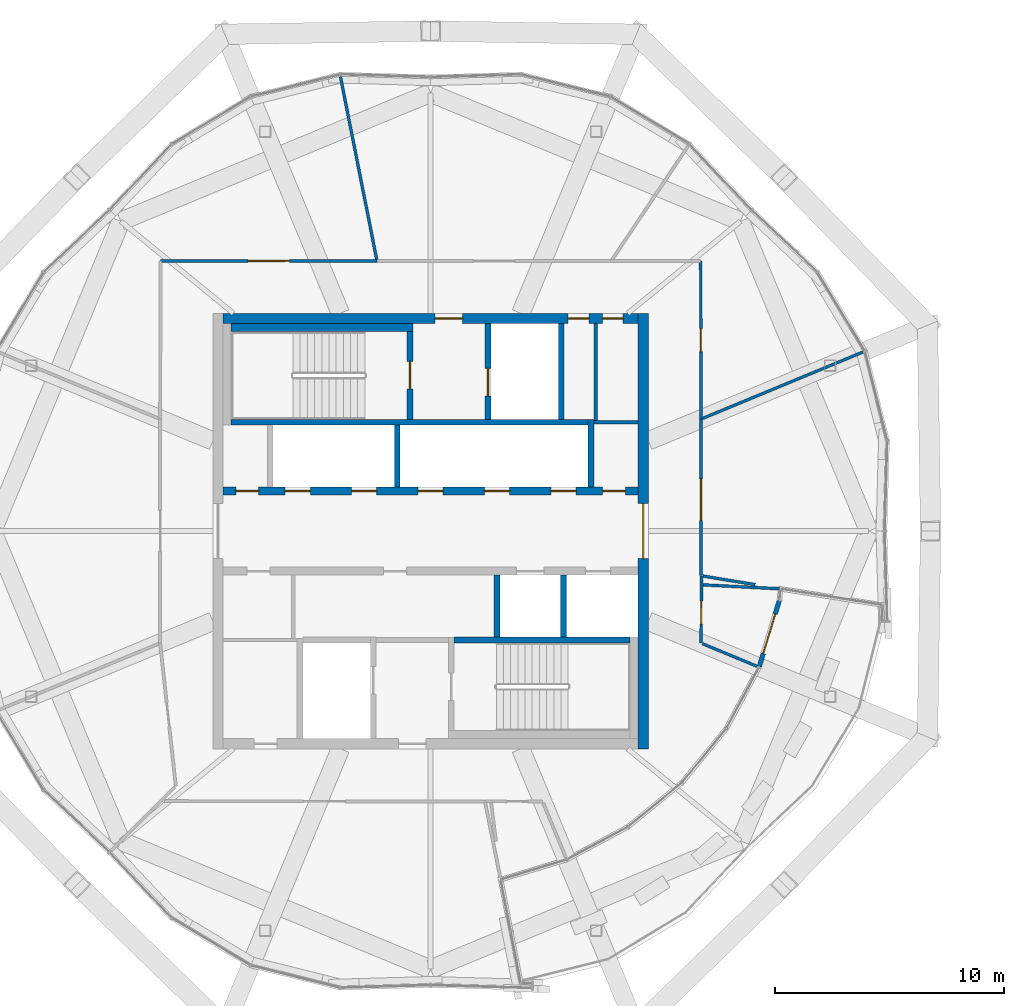
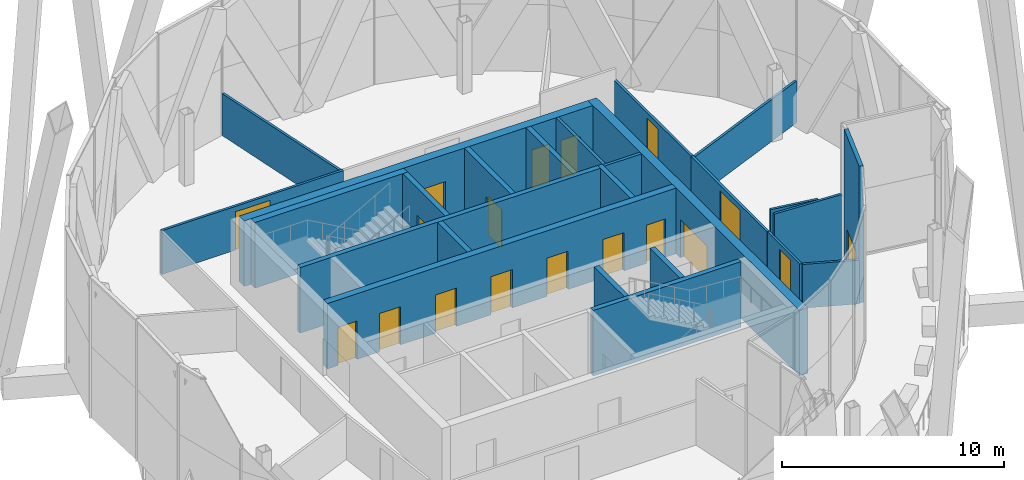
# One storey, part 46 of 53: 25 walls, 18 doors, 18 openings.
"""IFC4 building model written with IfcOpenShell, lengths in metres."""

from ifc_helpers import new_model, si_unit, direction, frame, frame_2d, origin, place, context, subcontext, project, spatial, rectangle, extrude, material, layer, layer_set, type_object, element, fill, save


model = new_model("IFC4")

# Units and contexts
model_context = context("Model", 3, precision=1e-05, world=origin(), true_north=direction((0.0, 1.0)))
body_context = subcontext(model_context, "Body", "Model", "MODEL_VIEW")
ifc_project = project(units=[si_unit("LENGTHUNIT", "METRE"), si_unit("AREAUNIT", "SQUARE_METRE"), si_unit("VOLUMEUNIT", "CUBIC_METRE"), si_unit("PLANEANGLEUNIT", "RADIAN"), si_unit("MASSUNIT", "GRAM", prefix="KILO")], contexts=[model_context])

# Site, building, storey
site_placement = place(None, origin())
site = spatial("IfcSite", under=ifc_project, at=site_placement, CompositionType="ELEMENT")
building_placement = place(site_placement, origin())
building = spatial("IfcBuilding", under=site, at=building_placement, Name="Ogive Gate Towers", CompositionType="ELEMENT")
storey_placement = place(building_placement, frame((0.0, 0.0, 240.60009765625)))
storey = spatial("IfcBuildingStorey", under=building, at=storey_placement, Name="L57", CompositionType="ELEMENT", Elevation=240.60009765625)

# Wall, openings, doors
ifc_material_1 = material(Name="Concrete C60/75", Category="concrete")
ifc_layer_1 = layer(ifc_material_1, 0.449951171875)
ifc_layer_set_1 = layer_set([ifc_layer_1], Name="Core wall 450 mm")
wall_type_1 = type_object("IfcWallType", Name="Core wall 450 mm", PredefinedType="SHEAR", material=ifc_layer_set_1)
wall_1_placement = place(storey_placement, frame((-45.050048828125, 9.27490234375, 0.0), z_axis=(0.0, 0.0, 1.0), x_axis=(1.0, 0.0, 0.0)))
wall_1 = element("IfcWall", 1, at=wall_1_placement, inside=storey, type_object=wall_type_1, Name="T1 L57 Core wall 450 mm", PredefinedType="SHEAR", context=body_context, shape_type="SweptSolid", body=[
    extrude(rectangle(XDim=18.10009765625, YDim=0.449951171875, at=frame_2d((9.050048828125, 0.0))), origin(), (0.0, 0.0, 1.0), 3.599853515625),
])
opening_1_placement = place(wall_1_placement, frame((9.25, 0.0, 0.0)))
opening_1 = element("IfcOpeningElement", 2, at=opening_1_placement, cuts=wall_1, Name="Opening KD-T1-L57-18", PredefinedType="OPENING", context=body_context, shape_type="SweptSolid", body=[
    extrude(rectangle(XDim=1.199951171875, YDim=2.10009765625, at=frame_2d((0.60009765625, 1.050048828125))), frame((0.0, 0.23486328125, 0.0), z_axis=(0.0, -1.0, 0.0), x_axis=(1.0, 0.0, 0.0)), (0.0, 0.0, 1.0), 0.469970703125),
])
opening_2_placement = place(wall_1_placement, frame((15.050048828125, 0.0, 0.0)))
opening_2 = element("IfcOpeningElement", 3, at=opening_2_placement, cuts=wall_1, Name="Opening KD-T1-L57-20", PredefinedType="OPENING", context=body_context, shape_type="SweptSolid", body=[
    extrude(rectangle(XDim=0.89990234375, YDim=2.10009765625, at=frame_2d((0.449951171875, 1.050048828125))), frame((0.0, 0.23486328125, 0.0), z_axis=(0.0, -1.0, 0.0), x_axis=(1.0, 0.0, 0.0)), (0.0, 0.0, 1.0), 0.469970703125),
])
opening_3_placement = place(wall_1_placement, frame((16.550048828125, 0.0, 0.0)))
opening_3 = element("IfcOpeningElement", 4, at=opening_3_placement, cuts=wall_1, Name="Opening KD-T1-L57-21", PredefinedType="OPENING", context=body_context, shape_type="SweptSolid", body=[
    extrude(rectangle(XDim=0.89990234375, YDim=2.10009765625, at=frame_2d((0.449951171875, 1.050048828125))), frame((0.0, 0.23486328125, 0.0), z_axis=(0.0, -1.0, 0.0), x_axis=(1.0, 0.0, 0.0)), (0.0, 0.0, 1.0), 0.469970703125),
])
ifc_material_2 = material(Name="Timber door", Category="wood")
door_type_1 = type_object("IfcDoorType", Name="Core WC door 900 x 2100", OperationType="NOTDEFINED", PredefinedType="DOOR", material=ifc_material_2)
door_1_placement = place(opening_2_placement, origin())
door_1 = element("IfcDoor", 5, at=door_1_placement, inside=storey, type_object=door_type_1, Name="T1 L57 Core door", OperationType="SINGLE_SWING_LEFT", OverallHeight=2.10009765625, OverallWidth=0.89990234375, PredefinedType="DOOR", context=body_context, shape_type="SweptSolid", body=[
    extrude(rectangle(XDim=0.89990234375, YDim=2.10009765625, at=frame_2d((0.449951171875, 1.050048828125))), frame((0.0, 0.02490234375, 0.0), z_axis=(0.0, -1.0, 0.0), x_axis=(1.0, 0.0, 0.0)), (0.0, 0.0, 1.0), 0.050048828125),
])
fill(opening_2, door_1)
door_2_placement = place(opening_3_placement, origin())
door_2 = element("IfcDoor", 6, at=door_2_placement, inside=storey, type_object=door_type_1, Name="T1 L57 Core door", OperationType="SINGLE_SWING_RIGHT", OverallHeight=2.10009765625, OverallWidth=0.89990234375, PredefinedType="DOOR", context=body_context, shape_type="SweptSolid", body=[
    extrude(rectangle(XDim=0.89990234375, YDim=2.10009765625, at=frame_2d((0.449951171875, 1.050048828125))), frame((0.0, 0.02490234375, 0.0), z_axis=(0.0, -1.0, 0.0), x_axis=(1.0, 0.0, 0.0)), (0.0, 0.0, 1.0), 0.050048828125),
])
fill(opening_3, door_2)
ifc_material_3 = material(Name="Steel fire door", Category="steel")
door_type_2 = type_object("IfcDoorType", Name="Core door FD60S 1200 x 2100", OperationType="NOTDEFINED", PredefinedType="DOOR", material=ifc_material_3)
door_3_placement = place(opening_1_placement, origin())
door_3 = element("IfcDoor", 7, at=door_3_placement, inside=storey, type_object=door_type_2, Name="T1 L57 Fire-fighting lobby door", OperationType="SINGLE_SWING_LEFT", OverallHeight=2.10009765625, OverallWidth=1.199951171875, PredefinedType="DOOR", context=body_context, shape_type="SweptSolid", body=[
    extrude(rectangle(XDim=1.199951171875, YDim=2.10009765625, at=frame_2d((0.60009765625, 1.050048828125))), frame((0.0, 0.02490234375, 0.0), z_axis=(0.0, -1.0, 0.0), x_axis=(1.0, 0.0, 0.0)), (0.0, 0.0, 1.0), 0.050048828125),
])
fill(opening_1, door_3)

# Wall, opening, door
wall_2_placement = place(storey_placement, frame((-26.72509765625, -9.5, 0.0), z_axis=(0.0, 0.0, 1.0), x_axis=(0.0, 1.0, 0.0)))
wall_2 = element("IfcWall", 8, at=wall_2_placement, inside=storey, type_object=wall_type_1, Name="T1 L57 Core wall 450 mm", PredefinedType="SHEAR", context=body_context, shape_type="SweptSolid", body=[
    extrude(rectangle(XDim=19.0, YDim=0.449951171875, at=frame_2d((9.5, 0.0))), origin(), (0.0, 0.0, 1.0), 3.599853515625),
])
opening_4_placement = place(wall_2_placement, frame((8.300048828125, 0.0, 0.0)))
opening_4 = element("IfcOpeningElement", 9, at=opening_4_placement, cuts=wall_2, Name="Opening KD-T1-L57-02", PredefinedType="OPENING", context=body_context, shape_type="SweptSolid", body=[
    extrude(rectangle(XDim=2.39990234375, YDim=2.10009765625, at=frame_2d((1.199951171875, 1.050048828125))), frame((0.0, 0.23486328125, 0.0), z_axis=(0.0, -1.0, 0.0), x_axis=(1.0, 0.0, 0.0)), (0.0, 0.0, 1.0), 0.469970703125),
])
door_type_3 = type_object("IfcDoorType", Name="Core double door FD60S 2400 x 2100", OperationType="DOUBLE_DOOR_SINGLE_SWING", PredefinedType="DOOR", material=ifc_material_3)
door_4_placement = place(opening_4_placement, origin())
door_4 = element("IfcDoor", 10, at=door_4_placement, inside=storey, type_object=door_type_3, Name="T1 L57 Core door double", OperationType="DOUBLE_DOOR_SINGLE_SWING", OverallHeight=2.10009765625, OverallWidth=2.39990234375, PredefinedType="DOOR", context=body_context, shape_type="SweptSolid", body=[
    extrude(rectangle(XDim=2.39990234375, YDim=2.10009765625, at=frame_2d((1.199951171875, 1.050048828125))), frame((0.0, 0.02490234375, 0.0), z_axis=(0.0, -1.0, 0.0), x_axis=(1.0, 0.0, 0.0)), (0.0, 0.0, 1.0), 0.050048828125),
])
fill(opening_4, door_4)

ifc_material_4 = material(Name="Pale metal aluminium", Category="aluminium")
ifc_layer_2 = layer(ifc_material_4, 0.199951171875)
ifc_layer_set_2 = layer_set([ifc_layer_2], Name="Garden infill wall")
wall_type_2 = type_object("IfcWallType", Name="Garden infill wall", PredefinedType="SOLIDWALL", material=ifc_layer_set_2)
wall_3_placement = place(storey_placement, frame((-20.794921875, -3.0498046875, 0.0), z_axis=(0.0, 0.0, 1.0), x_axis=(-0.290222640036, -0.956959152321, 0.0)))
wall_3 = element("IfcWall", 11, at=wall_3_placement, inside=storey, type_object=wall_type_2, Name="Garden infill wall", PredefinedType="SOLIDWALL", context=body_context, shape_type="SweptSolid", body=[
    extrude(rectangle(XDim=2.990478515625, YDim=0.199951171875, at=frame_2d((1.4951171875, 0.0))), origin(), (0.0, 0.0, 1.0), 7.5),
])
opening_5_placement = place(wall_3_placement, frame((0.595458984375, 0.0, 0.0)))
opening_5 = element("IfcOpeningElement", 12, at=opening_5_placement, cuts=wall_3, Name="Opening ED1-L57-01", PredefinedType="OPENING", context=body_context, shape_type="SweptSolid", body=[
    extrude(rectangle(XDim=1.800048828125, YDim=2.39990234375, at=frame_2d((0.89990234375, 1.199951171875))), frame((0.0, 0.10986328125, 0.0), z_axis=(0.0, -1.0, 0.0), x_axis=(1.0, 0.0, 0.0)), (0.0, 0.0, 1.0), 0.219970703125),
])
door_type_4 = type_object("IfcDoorType", Name="Garden door 1800 x 2400", OperationType="DOUBLE_DOOR_SINGLE_SWING", PredefinedType="DOOR", material=ifc_material_4)
door_5_placement = place(opening_5_placement, origin())
door_5 = element("IfcDoor", 13, at=door_5_placement, inside=storey, type_object=door_type_4, Name="Garden door", OperationType="SINGLE_SWING_LEFT", OverallHeight=2.39990234375, OverallWidth=1.800048828125, PredefinedType="DOOR", context=body_context, shape_type="SweptSolid", body=[
    extrude(rectangle(XDim=1.800048828125, YDim=2.39990234375, at=frame_2d((0.89990234375, 1.199951171875))), frame((0.0, 0.02490234375, 0.0), z_axis=(0.0, -1.0, 0.0), x_axis=(1.0, 0.0, 0.0)), (0.0, 0.0, 1.0), 0.050048828125),
])
fill(opening_5, door_5)

# Walls
ifc_material_5 = material(Name="Gypsum board partition")
ifc_layer_3 = layer(ifc_material_5, 0.125)
ifc_layer_set_3 = layer_set([ifc_layer_3], Name="Partition 125")
wall_type_3 = type_object("IfcWallType", Name="Partition 125", PredefinedType="PARTITIONING", material=ifc_layer_set_3)
wall_4_placement = place(storey_placement, frame((-17.1435546875, 7.810546875, 0.0), z_axis=(0.0, 0.0, 1.0), x_axis=(-0.923878587447, -0.382685713945, 0.0)))
element("IfcWall", 14, at=wall_4_placement, inside=storey, type_object=wall_type_3, Name="Partition T1-L57-001", PredefinedType="PARTITIONING", context=body_context, shape_type="SweptSolid", body=[
    extrude(rectangle(XDim=7.576416015625, YDim=0.125, at=frame_2d((3.7880859375, 0.0))), origin(), (0.0, 0.0, 1.0), 2.2998046875),
])
wall_5_placement = place(storey_placement, frame((-39.93408203125, 19.822998046875, 0.0), z_axis=(0.0, 0.0, 1.0), x_axis=(0.194671599634, -0.980868476553, 0.0)))
element("IfcWall", 15, at=wall_5_placement, inside=storey, type_object=wall_type_3, Name="Partition T1-L57-003", PredefinedType="PARTITIONING", context=body_context, shape_type="SweptSolid", body=[
    extrude(rectangle(XDim=8.126708984375, YDim=0.125, at=frame_2d((4.0634765625, 0.0))), origin(), (0.0, 0.0, 1.0), 2.2998046875),
])
wall_6_placement = place(storey_placement, frame((-21.763427734375, -5.89697265625, 0.0), z_axis=(0.0, 0.0, 1.0), x_axis=(-0.923865536241, 0.382717220603, 0.0)))
element("IfcWall", 16, at=wall_6_placement, inside=storey, type_object=wall_type_3, Name="Partition T1-L57-010", PredefinedType="PARTITIONING", context=body_context, shape_type="SweptSolid", body=[
    extrude(rectangle(XDim=2.576416015625, YDim=0.125, at=frame_2d((1.2880859375, 0.0))), origin(), (0.0, 0.0, 1.0), 2.39990234375),
])
wall_7_placement = place(storey_placement, frame((-20.737548828125, -2.5185546875, 0.0), z_axis=(0.0, 0.0, 1.0), x_axis=(-0.99869028618, 0.051163583637, 0.0)))
element("IfcWall", 17, at=wall_7_placement, inside=storey, type_object=wall_type_3, Name="Partition T1-L57-011", PredefinedType="PARTITIONING", context=body_context, shape_type="SweptSolid", body=[
    extrude(rectangle(XDim=3.41650390625, YDim=0.125, at=frame_2d((1.708251953125, 0.0))), origin(), (0.0, 0.0, 1.0), 3.599853515625),
])
wall_8_placement = place(storey_placement, frame((-21.844482421875, -2.3359375, 0.0), z_axis=(0.0, 0.0, 1.0), x_axis=(-0.986650274998, 0.162853415212, 0.0)))
element("IfcWall", 18, at=wall_8_placement, inside=storey, type_object=wall_type_3, Name="Partition T1-L57-012", PredefinedType="PARTITIONING", context=body_context, shape_type="SweptSolid", body=[
    extrude(rectangle(XDim=2.3056640625, YDim=0.125, at=frame_2d((1.15283203125, 0.0))), origin(), (0.0, 0.0, 1.0), 3.599853515625),
])

# Wall, opening, door
wall_9_placement = place(storey_placement, frame((-24.180908203125, -1.950439453125, 0.0), z_axis=(0.0, 0.0, 1.0), x_axis=(-0.007066667577, -0.999975030793, 0.0)))
wall_9 = element("IfcWall", 19, at=wall_9_placement, inside=storey, type_object=wall_type_3, Name="Partition T1-L57-013", PredefinedType="PARTITIONING", context=body_context, shape_type="SweptSolid", body=[
    extrude(rectangle(XDim=2.9365234375, YDim=0.125, at=frame_2d((1.46826171875, 0.0))), origin(), (0.0, 0.0, 1.0), 2.39990234375),
])
opening_6_placement = place(wall_9_placement, frame((1.10205078125, 0.0, 0.0)))
opening_6 = element("IfcOpeningElement", 20, at=opening_6_placement, cuts=wall_9, Name="Opening T1-L57-D01", PredefinedType="OPENING", context=body_context, shape_type="SweptSolid", body=[
    extrude(rectangle(XDim=1.0, YDim=2.10009765625, at=frame_2d((0.5, 1.050048828125))), frame((0.0, 0.072509765625, 0.0), z_axis=(0.0, -1.0, 0.0), x_axis=(1.0, 0.0, 0.0)), (0.0, 0.0, 1.0), 0.14501953125),
])
door_type_5 = type_object("IfcDoorType", Name="Door 1000", OperationType="NOTDEFINED", PredefinedType="DOOR", material=ifc_material_2)
door_6_placement = place(opening_6_placement, origin())
door_6 = element("IfcDoor", 21, at=door_6_placement, inside=storey, type_object=door_type_5, Name="Door T1-L57-D01", OperationType="SINGLE_SWING_LEFT", OverallHeight=2.10009765625, OverallWidth=1.0, PredefinedType="DOOR", context=body_context, shape_type="SweptSolid", body=[
    extrude(rectangle(XDim=1.0, YDim=2.10009765625, at=frame_2d((0.5, 1.050048828125))), frame((0.0, 0.02490234375, 0.0), z_axis=(0.0, -1.0, 0.0), x_axis=(1.0, 0.0, 0.0)), (0.0, 0.0, 1.0), 0.050048828125),
])
fill(opening_6, door_6)

wall_10_placement = place(storey_placement, frame((-47.780029296875, 11.780029296875, 0.0), z_axis=(0.0, 0.0, 1.0), x_axis=(0.999999381663, 0.001112058691, 0.0)))
wall_10 = element("IfcWall", 22, at=wall_10_placement, inside=storey, type_object=wall_type_3, Name="Partition T1-L57-018", PredefinedType="PARTITIONING", context=body_context, shape_type="SweptSolid", body=[
    extrude(rectangle(XDim=9.440185546875, YDim=0.125, at=frame_2d((4.72021484375, 0.0))), origin(), (0.0, 0.0, 1.0), 2.39990234375),
])
opening_7_placement = place(wall_10_placement, frame((3.820068359375, 0.0, 0.0)))
opening_7 = element("IfcOpeningElement", 23, at=opening_7_placement, cuts=wall_10, Name="Opening T1-L57-D06", PredefinedType="OPENING", context=body_context, shape_type="SweptSolid", body=[
    extrude(rectangle(XDim=1.800048828125, YDim=2.10009765625, at=frame_2d((0.89990234375, 1.050048828125))), frame((0.0, 0.072509765625, 0.0), z_axis=(0.0, -1.0, 0.0), x_axis=(1.0, 0.0, 0.0)), (0.0, 0.0, 1.0), 0.14501953125),
])
door_type_6 = type_object("IfcDoorType", Name="Door pair 1800", OperationType="NOTDEFINED", PredefinedType="DOOR", material=ifc_material_2)
door_7_placement = place(opening_7_placement, origin())
door_7 = element("IfcDoor", 24, at=door_7_placement, inside=storey, type_object=door_type_6, Name="Door T1-L57-D06", OperationType="DOUBLE_DOOR_DOUBLE_SWING", OverallHeight=2.10009765625, OverallWidth=1.800048828125, PredefinedType="DOOR", context=body_context, shape_type="SweptSolid", body=[
    extrude(rectangle(XDim=1.800048828125, YDim=2.10009765625, at=frame_2d((0.89990234375, 1.050048828125))), frame((0.0, 0.02490234375, 0.0), z_axis=(0.0, -1.0, 0.0), x_axis=(1.0, 0.0, 0.0)), (0.0, 0.0, 1.0), 0.050048828125),
])
fill(opening_7, door_7)

wall_11_placement = place(storey_placement, frame((-24.219970703125, 11.780029296875, 0.0), z_axis=(0.0, 0.0, 1.0), x_axis=(0.002762713928, -0.999996183699, 0.0)))
wall_11 = element("IfcWall", 25, at=wall_11_placement, inside=storey, type_object=wall_type_3, Name="Partition T1-L57-021", PredefinedType="PARTITIONING", context=body_context, shape_type="SweptSolid", body=[
    extrude(rectangle(XDim=6.892822265625, YDim=0.125, at=frame_2d((3.4462890625, 0.0))), origin(), (0.0, 0.0, 1.0), 2.39990234375),
])
opening_8_placement = place(wall_11_placement, frame((2.946044921875, 0.0, 0.0)))
opening_8 = element("IfcOpeningElement", 26, at=opening_8_placement, cuts=wall_11, Name="Opening T1-L57-D08", PredefinedType="OPENING", context=body_context, shape_type="SweptSolid", body=[
    extrude(rectangle(XDim=1.0, YDim=2.10009765625, at=frame_2d((0.5, 1.050048828125))), frame((0.0, 0.072509765625, 0.0), z_axis=(0.0, -1.0, 0.0), x_axis=(1.0, 0.0, 0.0)), (0.0, 0.0, 1.0), 0.14501953125),
])
door_8_placement = place(opening_8_placement, origin())
door_8 = element("IfcDoor", 27, at=door_8_placement, inside=storey, type_object=door_type_5, Name="Door T1-L57-D08", OperationType="SINGLE_SWING_RIGHT", OverallHeight=2.10009765625, OverallWidth=1.0, PredefinedType="DOOR", context=body_context, shape_type="SweptSolid", body=[
    extrude(rectangle(XDim=1.0, YDim=2.10009765625, at=frame_2d((0.5, 1.050048828125))), frame((0.0, 0.02490234375, 0.0), z_axis=(0.0, -1.0, 0.0), x_axis=(1.0, 0.0, 0.0)), (0.0, 0.0, 1.0), 0.050048828125),
])
fill(opening_8, door_8)

wall_12_placement = place(storey_placement, frame((-24.200927734375, 4.88720703125, 0.0), z_axis=(0.0, 0.0, 1.0), x_axis=(-0.001358888747, -0.99999907671, 0.0)))
wall_12 = element("IfcWall", 28, at=wall_12_placement, inside=storey, type_object=wall_type_3, Name="Partition T1-L57-023", PredefinedType="PARTITIONING", context=body_context, shape_type="SweptSolid", body=[
    extrude(rectangle(XDim=6.8271484375, YDim=0.125, at=frame_2d((3.41357421875, 0.0))), origin(), (0.0, 0.0, 1.0), 2.39990234375),
])
opening_9_placement = place(wall_12_placement, frame((2.614013671875, 0.0, 0.0)))
opening_9 = element("IfcOpeningElement", 29, at=opening_9_placement, cuts=wall_12, Name="Opening T1-L57-D09", PredefinedType="OPENING", context=body_context, shape_type="SweptSolid", body=[
    extrude(rectangle(XDim=1.800048828125, YDim=2.10009765625, at=frame_2d((0.89990234375, 1.050048828125))), frame((0.0, 0.072509765625, 0.0), z_axis=(0.0, -1.0, 0.0), x_axis=(1.0, 0.0, 0.0)), (0.0, 0.0, 1.0), 0.14501953125),
])
door_9_placement = place(opening_9_placement, origin())
door_9 = element("IfcDoor", 30, at=door_9_placement, inside=storey, type_object=door_type_6, Name="Door T1-L57-D09", OperationType="DOUBLE_DOOR_DOUBLE_SWING", OverallHeight=2.10009765625, OverallWidth=1.800048828125, PredefinedType="DOOR", context=body_context, shape_type="SweptSolid", body=[
    extrude(rectangle(XDim=1.800048828125, YDim=2.10009765625, at=frame_2d((0.89990234375, 1.050048828125))), frame((0.0, 0.02490234375, 0.0), z_axis=(0.0, -1.0, 0.0), x_axis=(1.0, 0.0, 0.0)), (0.0, 0.0, 1.0), 0.050048828125),
])
fill(opening_9, door_9)

# Walls
ifc_layer_4 = layer(ifc_material_5, 0.14990234375)
ifc_layer_set_4 = layer_set([ifc_layer_4], Name="Room partition 150 mm")
wall_type_4 = type_object("IfcWallType", Name="Room partition 150 mm", PredefinedType="PARTITIONING", material=ifc_layer_set_4)
wall_13_placement = place(storey_placement, frame((-28.875, 4.75, 0.0), z_axis=(0.0, 0.0, 1.0), x_axis=(1.0, 0.0, 0.0)))
element("IfcWall", 31, at=wall_13_placement, inside=storey, type_object=wall_type_4, Name="T1 L57 Room partition 150 mm", PredefinedType="PARTITIONING", context=body_context, shape_type="SweptSolid", body=[
    extrude(rectangle(XDim=1.925048828125, YDim=0.14990234375, at=frame_2d((0.96240234375, 0.0))), origin(), (0.0, 0.0, 1.0), 3.599853515625),
])
wall_14_placement = place(storey_placement, frame((-28.800048828125, 4.824951171875, 0.0), z_axis=(0.0, 0.0, 1.0), x_axis=(0.0, 1.0, 0.0)))
element("IfcWall", 32, at=wall_14_placement, inside=storey, type_object=wall_type_4, Name="T1 L57 Room partition 150 mm", PredefinedType="PARTITIONING", context=body_context, shape_type="SweptSolid", body=[
    extrude(rectangle(XDim=4.22509765625, YDim=0.14990234375, at=frame_2d((2.112548828125, 0.0))), origin(), (0.0, 0.0, 1.0), 3.599853515625),
])
ifc_layer_5 = layer(ifc_material_1, 0.25)
ifc_layer_set_5 = layer_set([ifc_layer_5], Name="Shaft wall 250 mm")
wall_type_5 = type_object("IfcWallType", Name="Shaft wall 250 mm", PredefinedType="SHEAR", material=ifc_layer_set_5)
wall_15_placement = place(storey_placement, frame((-34.97509765625, -4.75, 0.0), z_axis=(0.0, 0.0, 1.0), x_axis=(1.0, 0.0, 0.0)))
element("IfcWall", 33, at=wall_15_placement, inside=storey, type_object=wall_type_5, Name="T1 L57 Shaft wall 250 mm", PredefinedType="SHEAR", context=body_context, shape_type="SweptSolid", body=[
    extrude(rectangle(XDim=7.675048828125, YDim=0.25, at=frame_2d((3.83740234375, 0.0))), origin(), (0.0, 0.0, 1.0), 3.599853515625),
])
wall_16_placement = place(storey_placement, frame((-44.699951171875, 4.75, 0.0), z_axis=(0.0, 0.0, 1.0), x_axis=(1.0, 0.0, 0.0)))
element("IfcWall", 34, at=wall_16_placement, inside=storey, type_object=wall_type_5, Name="T1 L57 Shaft wall 250 mm", PredefinedType="SHEAR", context=body_context, shape_type="SweptSolid", body=[
    extrude(rectangle(XDim=15.574951171875, YDim=0.25, at=frame_2d((7.78759765625, 0.0))), origin(), (0.0, 0.0, 1.0), 3.599853515625),
])
wall_17_placement = place(storey_placement, frame((-37.449951171875, 1.925048828125, 0.0), z_axis=(0.0, 0.0, 1.0), x_axis=(0.0, 1.0, 0.0)))
element("IfcWall", 35, at=wall_17_placement, inside=storey, type_object=wall_type_5, Name="T1 L57 Shaft wall 250 mm", PredefinedType="SHEAR", context=body_context, shape_type="SweptSolid", body=[
    extrude(rectangle(XDim=2.699951171875, YDim=0.25, at=frame_2d((1.35009765625, 0.0))), origin(), (0.0, 0.0, 1.0), 3.599853515625),
])

# Wall, opening, door
wall_18_placement = place(storey_placement, frame((-36.89990234375, 4.875, 0.0), z_axis=(0.0, 0.0, 1.0), x_axis=(0.0, 1.0, 0.0)))
wall_18 = element("IfcWall", 36, at=wall_18_placement, inside=storey, type_object=wall_type_5, Name="T1 L57 Shaft wall 250 mm", PredefinedType="SHEAR", context=body_context, shape_type="SweptSolid", body=[
    extrude(rectangle(XDim=3.824951171875, YDim=0.25, at=frame_2d((1.91259765625, 0.0))), origin(), (0.0, 0.0, 1.0), 3.599853515625),
])
opening_10_placement = place(wall_18_placement, frame((1.324951171875, 0.0, 0.0)))
opening_10 = element("IfcOpeningElement", 37, at=opening_10_placement, cuts=wall_18, Name="Opening KD-T1-L57-16", PredefinedType="OPENING", context=body_context, shape_type="SweptSolid", body=[
    extrude(rectangle(XDim=1.199951171875, YDim=2.10009765625, at=frame_2d((0.60009765625, 1.050048828125))), frame((0.0, 0.135009765625, 0.0), z_axis=(0.0, -1.0, 0.0), x_axis=(1.0, 0.0, 0.0)), (0.0, 0.0, 1.0), 0.27001953125),
])
door_10_placement = place(opening_10_placement, origin())
door_10 = element("IfcDoor", 38, at=door_10_placement, inside=storey, type_object=door_type_2, Name="T1 L57 Stair door", OperationType="SINGLE_SWING_LEFT", OverallHeight=2.10009765625, OverallWidth=1.199951171875, PredefinedType="DOOR", context=body_context, shape_type="SweptSolid", body=[
    extrude(rectangle(XDim=1.199951171875, YDim=2.10009765625, at=frame_2d((0.60009765625, 1.050048828125))), frame((0.0, 0.02490234375, 0.0), z_axis=(0.0, -1.0, 0.0), x_axis=(1.0, 0.0, 0.0)), (0.0, 0.0, 1.0), 0.050048828125),
])
fill(opening_10, door_10)

wall_19_placement = place(storey_placement, frame((-33.5, 4.875, 0.0), z_axis=(0.0, 0.0, 1.0), x_axis=(0.0, 1.0, 0.0)))
wall_19 = element("IfcWall", 39, at=wall_19_placement, inside=storey, type_object=wall_type_5, Name="T1 L57 Shaft wall 250 mm", PredefinedType="SHEAR", context=body_context, shape_type="SweptSolid", body=[
    extrude(rectangle(XDim=4.175048828125, YDim=0.25, at=frame_2d((2.08740234375, 0.0))), origin(), (0.0, 0.0, 1.0), 3.599853515625),
])
opening_11_placement = place(wall_19_placement, frame((1.02490234375, 0.0, 0.0)))
opening_11 = element("IfcOpeningElement", 40, at=opening_11_placement, cuts=wall_19, Name="Opening LD-T1-L57-12", PredefinedType="OPENING", context=body_context, shape_type="SweptSolid", body=[
    extrude(rectangle(XDim=1.199951171875, YDim=2.10009765625, at=frame_2d((0.60009765625, 1.050048828125))), frame((0.0, 0.135009765625, 0.0), z_axis=(0.0, -1.0, 0.0), x_axis=(1.0, 0.0, 0.0)), (0.0, 0.0, 1.0), 0.27001953125),
])
ifc_material_6 = material(Name="Stainless steel landing door", Category="steel")
door_type_7 = type_object("IfcDoorType", Name="Landing door 1200 x 2100", OperationType="SLIDING_TO_LEFT", PredefinedType="DOOR", material=ifc_material_6)
door_11_placement = place(opening_11_placement, origin())
door_11 = element("IfcDoor", 41, at=door_11_placement, inside=storey, type_object=door_type_7, Name="T1 L57 Lift landing door FF1", OperationType="SLIDING_TO_LEFT", OverallHeight=2.10009765625, OverallWidth=1.199951171875, PredefinedType="DOOR", context=body_context, shape_type="SweptSolid", body=[
    extrude(rectangle(XDim=1.199951171875, YDim=2.10009765625, at=frame_2d((0.60009765625, 1.050048828125))), frame((0.0, 0.02490234375, 0.0), z_axis=(0.0, -1.0, 0.0), x_axis=(1.0, 0.0, 0.0)), (0.0, 0.0, 1.0), 0.050048828125),
])
fill(opening_11, door_11)

# Walls
wall_20_placement = place(storey_placement, frame((-33.10009765625, -4.625, 0.0), z_axis=(0.0, 0.0, 1.0), x_axis=(0.0, 1.0, 0.0)))
element("IfcWall", 42, at=wall_20_placement, inside=storey, type_object=wall_type_5, Name="T1 L57 Shaft wall 250 mm", PredefinedType="SHEAR", context=body_context, shape_type="SweptSolid", body=[
    extrude(rectangle(XDim=2.699951171875, YDim=0.25, at=frame_2d((1.35009765625, 0.0))), origin(), (0.0, 0.0, 1.0), 3.599853515625),
])
wall_21_placement = place(storey_placement, frame((-30.300048828125, 4.875, 0.0), z_axis=(0.0, 0.0, 1.0), x_axis=(0.0, 1.0, 0.0)))
element("IfcWall", 43, at=wall_21_placement, inside=storey, type_object=wall_type_5, Name="T1 L57 Shaft wall 250 mm", PredefinedType="SHEAR", context=body_context, shape_type="SweptSolid", body=[
    extrude(rectangle(XDim=4.175048828125, YDim=0.25, at=frame_2d((2.08740234375, 0.0))), origin(), (0.0, 0.0, 1.0), 3.599853515625),
])
wall_22_placement = place(storey_placement, frame((-30.199951171875, -4.625, 0.0), z_axis=(0.0, 0.0, 1.0), x_axis=(0.0, 1.0, 0.0)))
element("IfcWall", 44, at=wall_22_placement, inside=storey, type_object=wall_type_5, Name="T1 L57 Shaft wall 250 mm", PredefinedType="SHEAR", context=body_context, shape_type="SweptSolid", body=[
    extrude(rectangle(XDim=2.699951171875, YDim=0.25, at=frame_2d((1.35009765625, 0.0))), origin(), (0.0, 0.0, 1.0), 3.599853515625),
])
wall_23_placement = place(storey_placement, frame((-29.0, 1.925048828125, 0.0), z_axis=(0.0, 0.0, 1.0), x_axis=(0.0, 1.0, 0.0)))
element("IfcWall", 45, at=wall_23_placement, inside=storey, type_object=wall_type_5, Name="T1 L57 Shaft wall 250 mm", PredefinedType="SHEAR", context=body_context, shape_type="SweptSolid", body=[
    extrude(rectangle(XDim=2.949951171875, YDim=0.25, at=frame_2d((1.47509765625, 0.0))), origin(), (0.0, 0.0, 1.0), 3.599853515625),
])

# Wall, openings, doors
ifc_layer_6 = layer(ifc_material_1, 0.35009765625)
ifc_layer_set_6 = layer_set([ifc_layer_6], Name="Spine wall 350 mm")
wall_type_6 = type_object("IfcWallType", Name="Spine wall 350 mm", PredefinedType="SHEAR", material=ifc_layer_set_6)
wall_24_placement = place(storey_placement, frame((-45.050048828125, 1.75, 0.0), z_axis=(0.0, 0.0, 1.0), x_axis=(1.0, 0.0, 0.0)))
wall_24 = element("IfcWall", 46, at=wall_24_placement, inside=storey, type_object=wall_type_6, Name="T1 L57 Spine wall 350 mm", PredefinedType="SHEAR", context=body_context, shape_type="SweptSolid", body=[
    extrude(rectangle(XDim=18.10009765625, YDim=0.35009765625, at=frame_2d((9.050048828125, 0.0))), origin(), (0.0, 0.0, 1.0), 3.599853515625),
])
opening_12_placement = place(wall_24_placement, frame((0.550048828125, 0.0, 0.0)))
opening_12 = element("IfcOpeningElement", 47, at=opening_12_placement, cuts=wall_24, Name="Opening KD-T1-L57-03", PredefinedType="OPENING", context=body_context, shape_type="SweptSolid", body=[
    extrude(rectangle(XDim=1.0, YDim=2.10009765625, at=frame_2d((0.5, 1.050048828125))), frame((0.0, 0.18505859375, 0.0), z_axis=(0.0, -1.0, 0.0), x_axis=(1.0, 0.0, 0.0)), (0.0, 0.0, 1.0), 0.3701171875),
])
opening_13_placement = place(wall_24_placement, frame((2.699951171875, 0.0, 0.0)))
opening_13 = element("IfcOpeningElement", 48, at=opening_13_placement, cuts=wall_24, Name="Opening LD-T1-L57-04", PredefinedType="OPENING", context=body_context, shape_type="SweptSolid", body=[
    extrude(rectangle(XDim=1.10009765625, YDim=2.10009765625, at=frame_2d((0.550048828125, 1.050048828125))), frame((0.0, 0.18505859375, 0.0), z_axis=(0.0, -1.0, 0.0), x_axis=(1.0, 0.0, 0.0)), (0.0, 0.0, 1.0), 0.3701171875),
])
opening_14_placement = place(wall_24_placement, frame((5.60009765625, 0.0, 0.0)))
opening_14 = element("IfcOpeningElement", 49, at=opening_14_placement, cuts=wall_24, Name="Opening LD-T1-L57-05", PredefinedType="OPENING", context=body_context, shape_type="SweptSolid", body=[
    extrude(rectangle(XDim=1.10009765625, YDim=2.10009765625, at=frame_2d((0.550048828125, 1.050048828125))), frame((0.0, 0.18505859375, 0.0), z_axis=(0.0, -1.0, 0.0), x_axis=(1.0, 0.0, 0.0)), (0.0, 0.0, 1.0), 0.3701171875),
])
opening_15_placement = place(wall_24_placement, frame((8.5, 0.0, 0.0)))
opening_15 = element("IfcOpeningElement", 50, at=opening_15_placement, cuts=wall_24, Name="Opening LD-T1-L57-06", PredefinedType="OPENING", context=body_context, shape_type="SweptSolid", body=[
    extrude(rectangle(XDim=1.10009765625, YDim=2.10009765625, at=frame_2d((0.550048828125, 1.050048828125))), frame((0.0, 0.18505859375, 0.0), z_axis=(0.0, -1.0, 0.0), x_axis=(1.0, 0.0, 0.0)), (0.0, 0.0, 1.0), 0.3701171875),
])
opening_16_placement = place(wall_24_placement, frame((11.39990234375, 0.0, 0.0)))
opening_16 = element("IfcOpeningElement", 51, at=opening_16_placement, cuts=wall_24, Name="Opening LD-T1-L57-07", PredefinedType="OPENING", context=body_context, shape_type="SweptSolid", body=[
    extrude(rectangle(XDim=1.10009765625, YDim=2.10009765625, at=frame_2d((0.550048828125, 1.050048828125))), frame((0.0, 0.18505859375, 0.0), z_axis=(0.0, -1.0, 0.0), x_axis=(1.0, 0.0, 0.0)), (0.0, 0.0, 1.0), 0.3701171875),
])
opening_17_placement = place(wall_24_placement, frame((14.300048828125, 0.0, 0.0)))
opening_17 = element("IfcOpeningElement", 52, at=opening_17_placement, cuts=wall_24, Name="Opening LD-T1-L57-08", PredefinedType="OPENING", context=body_context, shape_type="SweptSolid", body=[
    extrude(rectangle(XDim=1.10009765625, YDim=2.10009765625, at=frame_2d((0.550048828125, 1.050048828125))), frame((0.0, 0.18505859375, 0.0), z_axis=(0.0, -1.0, 0.0), x_axis=(1.0, 0.0, 0.0)), (0.0, 0.0, 1.0), 0.3701171875),
])
opening_18_placement = place(wall_24_placement, frame((16.550048828125, 0.0, 0.0)))
opening_18 = element("IfcOpeningElement", 53, at=opening_18_placement, cuts=wall_24, Name="Opening KD-T1-L57-09", PredefinedType="OPENING", context=body_context, shape_type="SweptSolid", body=[
    extrude(rectangle(XDim=1.0, YDim=2.10009765625, at=frame_2d((0.5, 1.050048828125))), frame((0.0, 0.18505859375, 0.0), z_axis=(0.0, -1.0, 0.0), x_axis=(1.0, 0.0, 0.0)), (0.0, 0.0, 1.0), 0.3701171875),
])
door_type_8 = type_object("IfcDoorType", Name="Core door FD60S 1000 x 2100", OperationType="NOTDEFINED", PredefinedType="DOOR", material=ifc_material_3)
door_12_placement = place(opening_12_placement, origin())
door_12 = element("IfcDoor", 54, at=door_12_placement, inside=storey, type_object=door_type_8, Name="T1 L57 Core door", OperationType="SINGLE_SWING_RIGHT", OverallHeight=2.10009765625, OverallWidth=1.0, PredefinedType="DOOR", context=body_context, shape_type="SweptSolid", body=[
    extrude(rectangle(XDim=1.0, YDim=2.10009765625, at=frame_2d((0.5, 1.050048828125))), frame((0.0, 0.02490234375, 0.0), z_axis=(0.0, -1.0, 0.0), x_axis=(1.0, 0.0, 0.0)), (0.0, 0.0, 1.0), 0.050048828125),
])
fill(opening_12, door_12)
door_13_placement = place(opening_18_placement, origin())
door_13 = element("IfcDoor", 55, at=door_13_placement, inside=storey, type_object=door_type_8, Name="T1 L57 Core door", OperationType="SINGLE_SWING_RIGHT", OverallHeight=2.10009765625, OverallWidth=1.0, PredefinedType="DOOR", context=body_context, shape_type="SweptSolid", body=[
    extrude(rectangle(XDim=1.0, YDim=2.10009765625, at=frame_2d((0.5, 1.050048828125))), frame((0.0, 0.02490234375, 0.0), z_axis=(0.0, -1.0, 0.0), x_axis=(1.0, 0.0, 0.0)), (0.0, 0.0, 1.0), 0.050048828125),
])
fill(opening_18, door_13)
door_type_9 = type_object("IfcDoorType", Name="Landing door 1100 x 2100", OperationType="SLIDING_TO_LEFT", PredefinedType="DOOR", material=ifc_material_6)
door_14_placement = place(opening_13_placement, origin())
door_14 = element("IfcDoor", 56, at=door_14_placement, inside=storey, type_object=door_type_9, Name="T1 L57 Lift landing door B1", OperationType="SLIDING_TO_LEFT", OverallHeight=2.10009765625, OverallWidth=1.10009765625, PredefinedType="DOOR", context=body_context, shape_type="SweptSolid", body=[
    extrude(rectangle(XDim=1.10009765625, YDim=2.10009765625, at=frame_2d((0.550048828125, 1.050048828125))), frame((0.0, 0.02490234375, 0.0), z_axis=(0.0, -1.0, 0.0), x_axis=(1.0, 0.0, 0.0)), (0.0, 0.0, 1.0), 0.050048828125),
])
fill(opening_13, door_14)
door_15_placement = place(opening_14_placement, origin())
door_15 = element("IfcDoor", 57, at=door_15_placement, inside=storey, type_object=door_type_9, Name="T1 L57 Lift landing door B2", OperationType="SLIDING_TO_LEFT", OverallHeight=2.10009765625, OverallWidth=1.10009765625, PredefinedType="DOOR", context=body_context, shape_type="SweptSolid", body=[
    extrude(rectangle(XDim=1.10009765625, YDim=2.10009765625, at=frame_2d((0.550048828125, 1.050048828125))), frame((0.0, 0.02490234375, 0.0), z_axis=(0.0, -1.0, 0.0), x_axis=(1.0, 0.0, 0.0)), (0.0, 0.0, 1.0), 0.050048828125),
])
fill(opening_14, door_15)
door_16_placement = place(opening_15_placement, origin())
door_16 = element("IfcDoor", 58, at=door_16_placement, inside=storey, type_object=door_type_9, Name="T1 L57 Lift landing door B3", OperationType="SLIDING_TO_LEFT", OverallHeight=2.10009765625, OverallWidth=1.10009765625, PredefinedType="DOOR", context=body_context, shape_type="SweptSolid", body=[
    extrude(rectangle(XDim=1.10009765625, YDim=2.10009765625, at=frame_2d((0.550048828125, 1.050048828125))), frame((0.0, 0.02490234375, 0.0), z_axis=(0.0, -1.0, 0.0), x_axis=(1.0, 0.0, 0.0)), (0.0, 0.0, 1.0), 0.050048828125),
])
fill(opening_15, door_16)
door_17_placement = place(opening_16_placement, origin())
door_17 = element("IfcDoor", 59, at=door_17_placement, inside=storey, type_object=door_type_9, Name="T1 L57 Lift landing door B4", OperationType="SLIDING_TO_LEFT", OverallHeight=2.10009765625, OverallWidth=1.10009765625, PredefinedType="DOOR", context=body_context, shape_type="SweptSolid", body=[
    extrude(rectangle(XDim=1.10009765625, YDim=2.10009765625, at=frame_2d((0.550048828125, 1.050048828125))), frame((0.0, 0.02490234375, 0.0), z_axis=(0.0, -1.0, 0.0), x_axis=(1.0, 0.0, 0.0)), (0.0, 0.0, 1.0), 0.050048828125),
])
fill(opening_16, door_17)
door_18_placement = place(opening_17_placement, origin())
door_18 = element("IfcDoor", 60, at=door_18_placement, inside=storey, type_object=door_type_9, Name="T1 L57 Lift landing door B5", OperationType="SLIDING_TO_LEFT", OverallHeight=2.10009765625, OverallWidth=1.10009765625, PredefinedType="DOOR", context=body_context, shape_type="SweptSolid", body=[
    extrude(rectangle(XDim=1.10009765625, YDim=2.10009765625, at=frame_2d((0.550048828125, 1.050048828125))), frame((0.0, 0.02490234375, 0.0), z_axis=(0.0, -1.0, 0.0), x_axis=(1.0, 0.0, 0.0)), (0.0, 0.0, 1.0), 0.050048828125),
])
fill(opening_17, door_18)

# Wall
ifc_layer_7 = layer(ifc_material_1, 0.35009765625)
ifc_layer_set_7 = layer_set([ifc_layer_7], Name="Stair wall 350 mm")
wall_type_7 = type_object("IfcWallType", Name="Stair wall 350 mm", PredefinedType="SHEAR", material=ifc_layer_set_7)
wall_25_placement = place(storey_placement, frame((-44.699951171875, 8.875, 0.0), z_axis=(0.0, 0.0, 1.0), x_axis=(1.0, 0.0, 0.0)))
element("IfcWall", 61, at=wall_25_placement, inside=storey, type_object=wall_type_7, Name="T1 L57 Stair wall 350 mm", PredefinedType="SHEAR", context=body_context, shape_type="SweptSolid", body=[
    extrude(rectangle(XDim=7.925048828125, YDim=0.35009765625, at=frame_2d((3.96240234375, 0.0))), origin(), (0.0, 0.0, 1.0), 3.599853515625),
])

save(model, "model.ifc")
